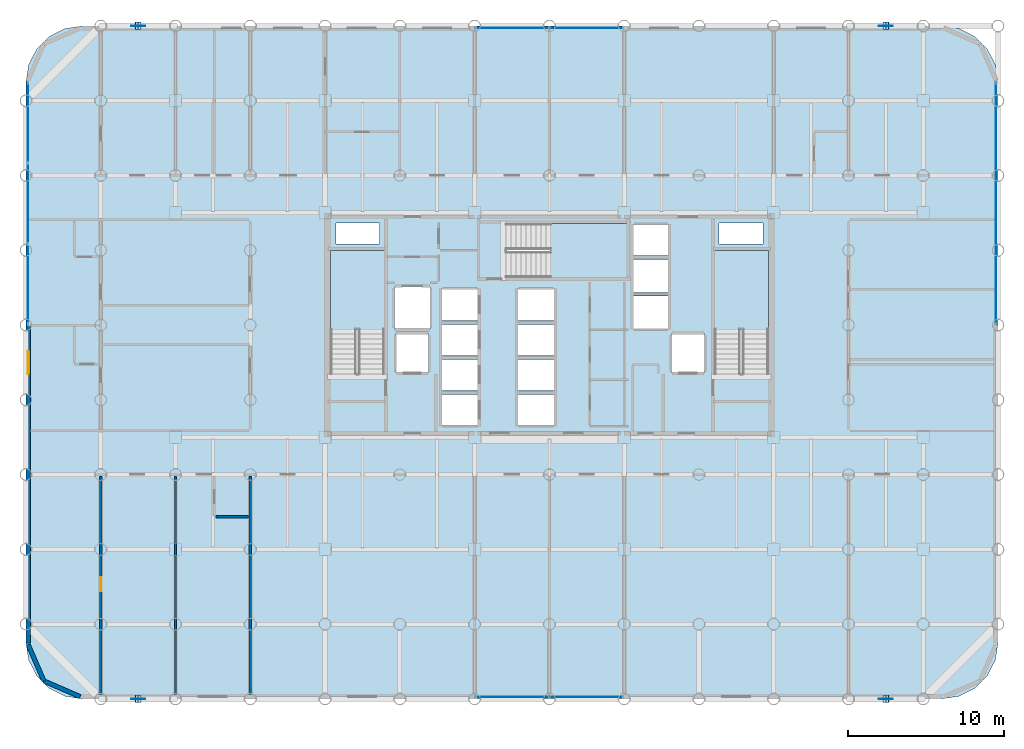
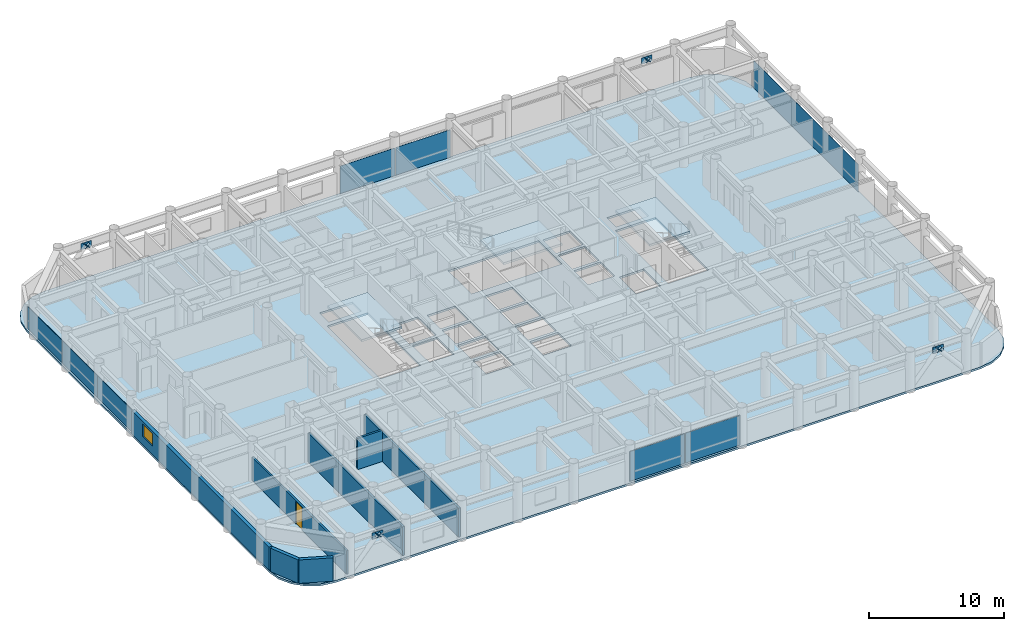
# One storey, part 15 of 21: 20 plates, 7 walls, 4 slabs, 1 door, 1 window, 2 openings, 7 elements without a shape of their own.
"""IFC4 building model written with IfcOpenShell, lengths in metres."""

from ifc_helpers import new_model, si_unit, direction, frame, frame_2d, origin, origin_2d, place, context, subcontext, project, spatial, polyline, rectangle, outline, extrude, material, layer, layer_set, type_object, element, fill, aggregate, save


model = new_model("IFC4")

# Units and contexts
model_context = context("Model", 3, precision=1e-05, world=origin(), true_north=direction((0.0, 1.0)))
body_context = subcontext(model_context, "Body", "Model", "MODEL_VIEW")
ifc_project = project(units=[si_unit("LENGTHUNIT", "METRE"), si_unit("AREAUNIT", "SQUARE_METRE"), si_unit("VOLUMEUNIT", "CUBIC_METRE"), si_unit("PLANEANGLEUNIT", "RADIAN"), si_unit("MASSUNIT", "GRAM", prefix="KILO")], contexts=[model_context])

# Site, building, storey
site_placement = place(None, origin())
site = spatial("IfcSite", under=ifc_project, at=site_placement, CompositionType="ELEMENT")
building_placement = place(site_placement, origin())
building = spatial("IfcBuilding", under=site, at=building_placement, Name="Kallvorn Hotel Tower", CompositionType="ELEMENT")
storey_placement = place(building_placement, frame((0.0, 0.0, 52.199951171875)))
storey = spatial("IfcBuildingStorey", under=building, at=storey_placement, Name="L11", CompositionType="ELEMENT", Elevation=52.199951171875)

# Curtain wall, plates
ifc_material_1 = material(Name="Thermally broken black-anodised aluminium AA 6063-T6", Category="aluminium")
ifc_layer_1 = layer(ifc_material_1, 0.199951171875)
ifc_layer_set_1 = layer_set([ifc_layer_1], Name="CW_SYS_3_HOTEL_LOW")
curtain_wall_type = type_object("IfcCurtainWallType", Name="CW_SYS_3_HOTEL_LOW", PredefinedType="USERDEFINED", material=ifc_layer_set_1)
curtain_wall_1_placement = place(storey_placement, origin())
curtain_wall_1 = element("IfcCurtainWall", 1, at=curtain_wall_1_placement, inside=storey, type_object=curtain_wall_type, Name="L11 Dark-Glass Curtain Wall CW-L11-SC", ObjectType="UNITISED CURTAIN WALL", PredefinedType="USERDEFINED")
ifc_material_2 = material(Name="Double-glazed low-e solar-control dark glass", Category="glass")
ifc_layer_2 = layer(ifc_material_2, 0.035888671875)
ifc_layer_set_2 = layer_set([ifc_layer_2], Name="CW_SYS_3_HOTEL_LOW_PANEL")
plate_type_1 = type_object("IfcPlateType", Name="CW_SYS_3_HOTEL_LOW_PANEL", PredefinedType="CURTAIN_PANEL", material=ifc_layer_set_2)
plate_1_placement = place(storey_placement, frame((-2.375, -23.8798828125, 0.06005859375), z_axis=(0.0, 0.0, 1.0), x_axis=(1.0, 0.0, 0.0)))
plate_1 = element("IfcPlate", 2, at=plate_1_placement, type_object=plate_type_1, Name="CW-L11-SC Vision Glass Panel 00", PredefinedType="CURTAIN_PANEL", context=body_context, shape_type="SweptSolid", body=[
    extrude(rectangle(XDim=4.68994140625, YDim=0.035888671875, at=origin_2d()), origin(), (0.0, 0.0, 1.0), 2.699951171875),
])
plate_2_placement = place(storey_placement, frame((2.375, -23.8798828125, 0.06005859375), z_axis=(0.0, 0.0, 1.0), x_axis=(1.0, 0.0, 0.0)))
plate_2 = element("IfcPlate", 3, at=plate_2_placement, type_object=plate_type_1, Name="CW-L11-SC Vision Glass Panel 01", PredefinedType="CURTAIN_PANEL", context=body_context, shape_type="SweptSolid", body=[
    extrude(rectangle(XDim=4.68994140625, YDim=0.035888671875, at=origin_2d()), origin(), (0.0, 0.0, 1.0), 2.699951171875),
])
aggregate(curtain_wall_1, [plate_1, plate_2])

curtain_wall_2_placement = place(storey_placement, origin())
curtain_wall_2 = element("IfcCurtainWall", 4, at=curtain_wall_2_placement, inside=storey, type_object=curtain_wall_type, Name="L11 Dark-Glass Curtain Wall CW-L11-NC", ObjectType="UNITISED CURTAIN WALL", PredefinedType="USERDEFINED")
plate_3_placement = place(storey_placement, frame((-2.375, 19.080078125, 0.06005859375), z_axis=(0.0, 0.0, 1.0), x_axis=(1.0, 0.0, 0.0)))
plate_3 = element("IfcPlate", 5, at=plate_3_placement, type_object=plate_type_1, Name="CW-L11-NC Vision Glass Panel 00", PredefinedType="CURTAIN_PANEL", context=body_context, shape_type="SweptSolid", body=[
    extrude(rectangle(XDim=4.68994140625, YDim=0.035888671875, at=origin_2d()), origin(), (0.0, 0.0, 1.0), 2.5),
])
plate_4_placement = place(storey_placement, frame((2.375, 19.080078125, 0.06005859375), z_axis=(0.0, 0.0, 1.0), x_axis=(1.0, 0.0, 0.0)))
plate_4 = element("IfcPlate", 6, at=plate_4_placement, type_object=plate_type_1, Name="CW-L11-NC Vision Glass Panel 01", PredefinedType="CURTAIN_PANEL", context=body_context, shape_type="SweptSolid", body=[
    extrude(rectangle(XDim=4.68994140625, YDim=0.035888671875, at=origin_2d()), origin(), (0.0, 0.0, 1.0), 2.5),
])
aggregate(curtain_wall_2, [plate_3, plate_4])

curtain_wall_3_placement = place(storey_placement, origin())
curtain_wall_3 = element("IfcCurtainWall", 7, at=curtain_wall_3_placement, inside=storey, type_object=curtain_wall_type, Name="L11 Dark-Glass Curtain Wall CW-L11-WN", ObjectType="UNITISED CURTAIN WALL", PredefinedType="USERDEFINED")
plate_5_placement = place(storey_placement, frame((-33.47998046875, 2.61669921875, 0.06005859375), z_axis=(0.0, 0.0, 1.0), x_axis=(0.0, 1.0, 0.0)))
plate_5 = element("IfcPlate", 8, at=plate_5_placement, type_object=plate_type_1, Name="CW-L11-WN Vision Glass Panel 00", PredefinedType="CURTAIN_PANEL", context=body_context, shape_type="SweptSolid", body=[
    extrude(rectangle(XDim=5.13330078125, YDim=0.035888671875, at=origin_2d()), origin(), (0.0, 0.0, 1.0), 2.0),
])
plate_6_placement = place(storey_placement, frame((-33.47998046875, 7.81005859375, 0.06005859375), z_axis=(0.0, 0.0, 1.0), x_axis=(0.0, 1.0, 0.0)))
plate_6 = element("IfcPlate", 9, at=plate_6_placement, type_object=plate_type_1, Name="CW-L11-WN Vision Glass Panel 01", PredefinedType="CURTAIN_PANEL", context=body_context, shape_type="SweptSolid", body=[
    extrude(rectangle(XDim=5.13330078125, YDim=0.035888671875, at=origin_2d()), origin(), (0.0, 0.0, 1.0), 2.0),
])
plate_7_placement = place(storey_placement, frame((-33.47998046875, 13.00341796875, 0.06005859375), z_axis=(0.0, 0.0, 1.0), x_axis=(0.0, 1.0, 0.0)))
plate_7 = element("IfcPlate", 10, at=plate_7_placement, type_object=plate_type_1, Name="CW-L11-WN Vision Glass Panel 02", PredefinedType="CURTAIN_PANEL", context=body_context, shape_type="SweptSolid", body=[
    extrude(rectangle(XDim=5.13330078125, YDim=0.035888671875, at=origin_2d()), origin(), (0.0, 0.0, 1.0), 2.0),
])
aggregate(curtain_wall_3, [plate_5, plate_6, plate_7])

# Curtain wall, plate
curtain_wall_4_placement = place(storey_placement, origin())
curtain_wall_4 = element("IfcCurtainWall", 11, at=curtain_wall_4_placement, inside=storey, type_object=curtain_wall_type, Name="L11 Dark-Glass Curtain Wall CW-L11-EN", ObjectType="UNITISED CURTAIN WALL", PredefinedType="USERDEFINED")
plate_8_placement = place(storey_placement, frame((28.679931640625, 7.81005859375, 0.06005859375), z_axis=(0.0, 0.0, 1.0), x_axis=(0.0, 1.0, 0.0)))
plate_8 = element("IfcPlate", 12, at=plate_8_placement, type_object=plate_type_1, Name="CW-L11-EN Vision Glass Panel 00", PredefinedType="CURTAIN_PANEL", context=body_context, shape_type="SweptSolid", body=[
    extrude(rectangle(XDim=15.52001953125, YDim=0.035888671875, at=origin_2d()), origin(), (0.0, 0.0, 1.0), 2.5),
])
aggregate(curtain_wall_4, [plate_8])

# Plates
ifc_material_3 = material(Name="Structural steel S355JR", Category="steel")
ifc_layer_3 = layer(ifc_material_3, 0.030029296875)
ifc_layer_set_3 = layer_set([ifc_layer_3], Name="PLT_CAP_30")
plate_type_2 = type_object("IfcPlateType", Name="PLT_CAP_30", PredefinedType="SHEET", material=ifc_layer_set_3)
for number, where, z_axis, x_axis, name in (
    (13, (-26.20947265625, -24.2431640625, 2.808837890625), (0.653227612507, 0.0, 0.75716159851), (0.0, 1.0, 0.0), "EXO-L11-S1A End Cap Plate B"),
    (14, (-26.590576171875, -23.7568359375, 2.808837890625), (-0.653227612507, 0.0, 0.75716159851), (0.0, -1.0, 0.0), "EXO-L11-S1B End Cap Plate B"),
    (15, (21.79052734375, -24.2431640625, 2.808837890625), (0.653227612507, 0.0, 0.75716159851), (0.0, 1.0, 0.0), "EXO-L11-S2A End Cap Plate B"),
    (16, (21.409423828125, -23.7568359375, 2.808837890625), (-0.653227612507, 0.0, 0.75716159851), (0.0, -1.0, 0.0), "EXO-L11-S2B End Cap Plate B"),
    (17, (-26.20947265625, 18.956787109375, 2.808837890625), (0.653227612507, 0.0, 0.75716159851), (0.0, 1.0, 0.0), "EXO-L11-N1A End Cap Plate B"),
    (18, (-26.590576171875, 19.443115234375, 2.808837890625), (-0.653227612507, 0.0, 0.75716159851), (0.0, -1.0, 0.0), "EXO-L11-N1B End Cap Plate B"),
    (19, (21.79052734375, 18.956787109375, 2.808837890625), (0.653227612507, 0.0, 0.75716159851), (0.0, 1.0, 0.0), "EXO-L11-N2A End Cap Plate B"),
    (20, (21.409423828125, 19.443115234375, 2.808837890625), (-0.653227612507, 0.0, 0.75716159851), (0.0, -1.0, 0.0), "EXO-L11-N2B End Cap Plate B"),
):
    element("IfcPlate", number, at=place(storey_placement, frame(where, z_axis=z_axis, x_axis=x_axis)), inside=storey, type_object=plate_type_2, Name=name, PredefinedType="SHEET", context=body_context, shape_type="SweptSolid", body=[
        extrude(outline(polyline([(0.0, 0.0), (0.486328125, 0.0), (0.486328125, 0.4862423863341974), (0.0, 0.4862423863341974), (0.0, 0.0)])), origin(), (0.0, 0.0, -1.0), 0.030029296875),
    ])
ifc_material_4 = material(Name="Structural steel S355JR", Category="steel")
ifc_layer_4 = layer(ifc_material_4, 0.044921875)
ifc_layer_set_4 = layer_set([ifc_layer_4], Name="PLT_GUSSET_45")
plate_type_3 = type_object("IfcPlateType", Name="PLT_GUSSET_45", PredefinedType="USERDEFINED", material=ifc_layer_set_4)
for number, where, z_axis, x_axis, name in (
    (21, (-26.39990234375, -24.0, 2.64013671875), (0.0, 0.0, 1.0), (1.0, 0.0, 0.0), "L11 Exoskeleton Node Gusset S1"),
    (22, (21.60009765625, -24.0, 2.64013671875), (0.0, 0.0, 1.0), (1.0, 0.0, 0.0), "L11 Exoskeleton Node Gusset S2"),
    (23, (-26.39990234375, 19.199951171875, 2.64013671875), (0.0, 0.0, 1.0), (1.0, 0.0, 0.0), "L11 Exoskeleton Node Gusset N1"),
    (24, (21.60009765625, 19.199951171875, 2.64013671875), (0.0, 0.0, 1.0), (1.0, 0.0, 0.0), "L11 Exoskeleton Node Gusset N2"),
):
    element("IfcPlate", number, at=place(storey_placement, frame(where, z_axis=z_axis, x_axis=x_axis)), inside=storey, type_object=plate_type_3, Name=name, ObjectType="GUSSET PLATE", PredefinedType="USERDEFINED", context=body_context, shape_type="SweptSolid", body=[
        extrude(rectangle(XDim=0.89990234375, YDim=0.044921875, at=origin_2d()), origin(), (0.0, 0.0, 1.0), 0.56005859375),
    ])

# Stair, slab
ifc_material_5 = material(Name="Precast concrete C40/50", Category="concrete")
stair_type = type_object("IfcStairType", Name="STR_CORE_DOGLEG", PredefinedType="HALF_TURN_STAIR", material=ifc_material_5)
stair_1_placement = place(storey_placement, origin())
stair_1 = element("IfcStair", 25, at=stair_1_placement, inside=storey, type_object=stair_type, Name="L11 Exit stair ST1", PredefinedType="HALF_TURN_STAIR")
ifc_material_6 = material(Name="Precast concrete C40/50", Category="concrete")
ifc_layer_5 = layer(ifc_material_6, 0.179931640625)
ifc_layer_set_5 = layer_set([ifc_layer_5], Name="SLB_LANDING_180")
slab_type_1 = type_object("IfcSlabType", Name="SLB_LANDING_180", PredefinedType="LANDING", material=ifc_layer_set_5)
slab_1_placement = place(storey_placement, frame((0.0, 0.0, 1.650146484375)))
slab_1 = element("IfcSlab", 26, at=slab_1_placement, type_object=slab_type_1, Name="ST1 landing 1", PredefinedType="LANDING", context=body_context, shape_type="SweptSolid", body=[
    extrude(outline(polyline([(-10.60009765625, -0.31005859375), (-10.60009765625, 4.800048828125), (-14.06005859375, 4.800048828125), (-14.06005859375, -0.31005859375), (-10.60009765625, -0.31005859375)])), origin(), (0.0, 0.0, 1.0), 0.199951171875),
])
aggregate(stair_1, [slab_1])

stair_2_placement = place(storey_placement, origin())
stair_2 = element("IfcStair", 27, at=stair_2_placement, inside=storey, type_object=stair_type, Name="L11 Exit stair ST2", PredefinedType="HALF_TURN_STAIR")
slab_2_placement = place(storey_placement, frame((0.0, 0.0, 1.650146484375)))
slab_2 = element("IfcSlab", 28, at=slab_2_placement, type_object=slab_type_1, Name="ST2 landing 1", PredefinedType="LANDING", context=body_context, shape_type="SweptSolid", body=[
    extrude(outline(polyline([(14.06005859375, -0.31005859375), (14.06005859375, 4.800048828125), (10.60009765625, 4.800048828125), (10.60009765625, -0.31005859375), (14.06005859375, -0.31005859375)])), origin(), (0.0, 0.0, 1.0), 0.199951171875),
])
aggregate(stair_2, [slab_2])

stair_3_placement = place(storey_placement, origin())
stair_3 = element("IfcStair", 29, at=stair_3_placement, inside=storey, type_object=stair_type, Name="L11 Exit stair ST3", PredefinedType="HALF_TURN_STAIR")
slab_3_placement = place(storey_placement, frame((0.0, 0.0, 1.650146484375)))
slab_3 = element("IfcSlab", 30, at=slab_3_placement, type_object=slab_type_1, Name="ST3 landing 1", PredefinedType="LANDING", context=body_context, shape_type="SweptSolid", body=[
    extrude(outline(polyline([(0.0400390625, 3.050048828125), (5.050048828125, 3.050048828125), (5.050048828125, 6.510009765625), (0.0400390625, 6.510009765625), (0.0400390625, 3.050048828125)])), origin(), (0.0, 0.0, 1.0), 0.199951171875),
])
aggregate(stair_3, [slab_3])

# Slab
ifc_material_7 = material(Name="Concrete C40/50", Category="concrete")
ifc_layer_6 = layer(ifc_material_7, 0.179931640625)
ifc_layer_set_6 = layer_set([ifc_layer_6], Name="SLB_TOWER_180")
slab_type_2 = type_object("IfcSlabType", Name="SLB_TOWER_180", PredefinedType="FLOOR", material=ifc_layer_set_6)
slab_4_placement = place(storey_placement, frame((0.0, 0.0, -0.179931640625)))
element("IfcSlab", 31, at=slab_4_placement, inside=storey, type_object=slab_type_2, Name="L11 Structural Floor Slab", PredefinedType="FLOOR", context=body_context, shape_type="SweptSolid", body=[
    extrude(outline(polyline([(25.199951171875, -24.0), (26.3125, -23.82373046875), (27.31591796875, -23.3125), (28.112548828125, -22.51611328125), (28.623779296875, -21.512451171875), (28.800048828125, -20.39990234375), (28.800048828125, 15.60009765625), (28.623779296875, 16.71240234375), (28.112548828125, 17.716064453125), (27.31591796875, 18.512451171875), (26.3125, 19.023681640625), (25.199951171875, 19.199951171875), (-30.0, 19.199951171875), (-31.112548828125, 19.023681640625), (-32.115966796875, 18.512451171875), (-32.91259765625, 17.716064453125), (-33.423828125, 16.71240234375), (-33.60009765625, 15.60009765625), (-33.60009765625, -20.39990234375), (-33.423828125, -21.512451171875), (-32.91259765625, -22.51611328125), (-32.115966796875, -23.3125), (-31.112548828125, -23.82373046875), (-30.0, -24.0), (25.199951171875, -24.0)]), holes=[polyline([(-10.60009765625, -3.070068359375), (-10.60009765625, 4.800048828125), (-14.06005859375, 4.800048828125), (-14.06005859375, -3.070068359375), (-10.60009765625, -3.070068359375)]), polyline([(14.06005859375, -3.070068359375), (14.06005859375, 4.800048828125), (10.60009765625, 4.800048828125), (10.60009765625, -3.070068359375), (14.06005859375, -3.070068359375)]), polyline([(-2.719970703125, 3.050048828125), (5.050048828125, 3.050048828125), (5.050048828125, 6.510009765625), (-2.719970703125, 6.510009765625), (-2.719970703125, 3.050048828125)]), polyline([(-6.949951171875, -6.449951171875), (-4.550048828125, -6.449951171875), (-4.550048828125, -4.449951171875), (-6.949951171875, -4.449951171875), (-6.949951171875, -6.449951171875)]), polyline([(-6.949951171875, -4.199951171875), (-4.550048828125, -4.199951171875), (-4.550048828125, -2.199951171875), (-6.949951171875, -2.199951171875), (-6.949951171875, -4.199951171875)]), polyline([(-6.949951171875, -1.949951171875), (-4.550048828125, -1.949951171875), (-4.550048828125, 0.050048828125), (-6.949951171875, 0.050048828125), (-6.949951171875, -1.949951171875)]), polyline([(-6.949951171875, 0.300048828125), (-4.550048828125, 0.300048828125), (-4.550048828125, 2.300048828125), (-6.949951171875, 2.300048828125), (-6.949951171875, 0.300048828125)]), polyline([(-2.050048828125, -6.449951171875), (0.35009765625, -6.449951171875), (0.35009765625, -4.449951171875), (-2.050048828125, -4.449951171875), (-2.050048828125, -6.449951171875)]), polyline([(-2.050048828125, -4.199951171875), (0.35009765625, -4.199951171875), (0.35009765625, -2.199951171875), (-2.050048828125, -2.199951171875), (-2.050048828125, -4.199951171875)]), polyline([(-2.050048828125, -1.949951171875), (0.35009765625, -1.949951171875), (0.35009765625, 0.050048828125), (-2.050048828125, 0.050048828125), (-2.050048828125, -1.949951171875)]), polyline([(-2.050048828125, 0.300048828125), (0.35009765625, 0.300048828125), (0.35009765625, 2.300048828125), (-2.050048828125, 2.300048828125), (-2.050048828125, 0.300048828125)]), polyline([(5.35009765625, -0.25), (7.64990234375, -0.25), (7.64990234375, 1.85009765625), (5.35009765625, 1.85009765625), (5.35009765625, -0.25)]), polyline([(5.35009765625, 2.10009765625), (7.64990234375, 2.10009765625), (7.64990234375, 4.199951171875), (5.35009765625, 4.199951171875), (5.35009765625, 2.10009765625)]), polyline([(5.35009765625, 4.449951171875), (7.64990234375, 4.449951171875), (7.64990234375, 6.449951171875), (5.35009765625, 6.449951171875), (5.35009765625, 4.449951171875)]), polyline([(-9.85009765625, -3.050048828125), (-7.75, -3.050048828125), (-7.75, -0.550048828125), (-9.85009765625, -0.550048828125), (-9.85009765625, -3.050048828125)]), polyline([(7.85009765625, -3.050048828125), (9.949951171875, -3.050048828125), (9.949951171875, -0.550048828125), (7.85009765625, -0.550048828125), (7.85009765625, -3.050048828125)]), polyline([(-9.949951171875, -0.25), (-7.64990234375, -0.25), (-7.64990234375, 2.449951171875), (-9.949951171875, 2.449951171875), (-9.949951171875, -0.25)]), polyline([(-13.699951171875, 5.199951171875), (-10.89990234375, 5.199951171875), (-10.89990234375, 6.550048828125), (-13.699951171875, 6.550048828125), (-13.699951171875, 5.199951171875)]), polyline([(10.89990234375, 5.199951171875), (13.699951171875, 5.199951171875), (13.699951171875, 6.550048828125), (10.89990234375, 6.550048828125), (10.89990234375, 5.199951171875)])]), origin(), (0.0, 0.0, 1.0), 0.179931640625),
])

# Walls
ifc_material_8 = material(Name="Fire-rated double-layer acoustic gypsum drywall EI 60")
ifc_layer_7 = layer(ifc_material_8, 0.159912109375)
ifc_layer_set_7 = layer_set([ifc_layer_7], Name="WL_DEMISE_160")
wall_type_1 = type_object("IfcWallType", Name="WL_DEMISE_160", PredefinedType="PARTITIONING", material=ifc_layer_set_7)
wall_1_placement = place(storey_placement, frame((-21.409912109375, -12.320068359375, 0.0), z_axis=(0.0, 0.0, 1.0), x_axis=(1.0, 0.0, 0.0)))
element("IfcWall", 32, at=wall_1_placement, inside=storey, type_object=wall_type_1, Name="L11 Suite 1103 Superior Twin Room Partition", PredefinedType="PARTITIONING", context=body_context, shape_type="SweptSolid", body=[
    extrude(rectangle(XDim=2.1298828125, YDim=0.159912109375, at=frame_2d((1.06494140625, 0.0))), origin(), (0.0, 0.0, 1.0), 2.820068359375),
])
for number, where, z_axis, x_axis, name in (
    (33, (-24.0, -23.7099609375, 0.0), (0.0, 0.0, 1.0), (0.0, 1.0, 0.0), "L11 Suite 1103 Superior Twin Room Partition"),
    (34, (-19.199951171875, -23.7099609375, 0.0), (0.0, 0.0, 1.0), (0.0, 1.0, 0.0), "L11 Suite 1103 Superior Twin Room Partition"),
):
    element("IfcWall", number, at=place(storey_placement, frame(where, z_axis=z_axis, x_axis=x_axis)), inside=storey, type_object=wall_type_1, Name=name, PredefinedType="PARTITIONING", context=body_context, shape_type="SweptSolid", body=[
        extrude(rectangle(XDim=13.989990234375, YDim=0.159912109375, at=frame_2d((6.9951171875, 0.0))), origin(), (0.0, 0.0, 1.0), 2.6201171875),
    ])
ifc_material_9 = material(Name="Precast basalt-clad insulated concrete wall C40/50", Category="masonry")
ifc_layer_8 = layer(ifc_material_9, 0.280029296875)
ifc_layer_set_8 = layer_set([ifc_layer_8], Name="WL_EXT_LOGGIA_280")
wall_type_2 = type_object("IfcWallType", Name="WL_EXT_LOGGIA_280", PredefinedType="SOLIDWALL", material=ifc_layer_set_8)
wall_2_placement = place(storey_placement, frame((-33.4580078125, -20.520751953125, 0.0), z_axis=(0.0, 0.0, 1.0), x_axis=(0.398792985289, -0.917040977756, 0.0)))
element("IfcWall", 35, at=wall_2_placement, inside=storey, type_object=wall_type_2, Name="L11 Rounded Corner Exterior Wall SW1", PredefinedType="SOLIDWALL", context=body_context, shape_type="SweptSolid", body=[
    extrude(rectangle(XDim=2.536376953125, YDim=0.280029296875, at=frame_2d((1.26806640625, 0.0))), origin(), (0.0, 0.0, 1.0), 2.1201171875),
])
wall_3_placement = place(storey_placement, frame((-32.446533203125, -22.8466796875, 0.0), z_axis=(0.0, 0.0, 1.0), x_axis=(0.917060872934, -0.398747232384, 0.0)))
element("IfcWall", 36, at=wall_3_placement, inside=storey, type_object=wall_type_2, Name="L11 Rounded Corner Exterior Wall SW2", PredefinedType="SOLIDWALL", context=body_context, shape_type="SweptSolid", body=[
    extrude(rectangle(XDim=2.5361328125, YDim=0.280029296875, at=frame_2d((1.26806640625, 0.0))), origin(), (0.0, 0.0, 1.0), 2.1201171875),
])

# Wall, opening, window
wall_4_placement = place(storey_placement, frame((-33.4599609375, -20.39990234375, 0.0), z_axis=(0.0, 0.0, 1.0), x_axis=(0.0, 1.0, 0.0)))
wall_4 = element("IfcWall", 37, at=wall_4_placement, inside=storey, type_object=wall_type_2, Name="L11 Exterior Envelope Wall EW-L11-WS", PredefinedType="SOLIDWALL", context=body_context, shape_type="SweptSolid", body=[
    extrude(rectangle(XDim=20.3798828125, YDim=0.280029296875, at=frame_2d((10.18994140625, 0.0))), origin(), (0.0, 0.0, 1.0), 2.1201171875),
])
opening_1_placement = place(wall_4_placement, frame((17.25, 0.0, 0.75)))
opening_1 = element("IfcOpeningElement", 38, at=opening_1_placement, cuts=wall_4, Name="Opening W05A", PredefinedType="OPENING", context=body_context, shape_type="SweptSolid", body=[
    extrude(rectangle(XDim=1.5, YDim=1.14990234375, at=frame_2d((0.75, 0.574951171875))), frame((0.0, 0.155029296875, 0.0), z_axis=(0.0, -1.0, 0.0), x_axis=(1.0, 0.0, 0.0)), (0.0, 0.0, 1.0), 0.31005859375),
])
ifc_material_10 = material(Name="Double-glazed low-e solar-control dark glass", Category="glass")
window_type = type_object("IfcWindowType", Name="WN_HTL_1500x1150", PartitioningType="SINGLE_PANEL", PredefinedType="WINDOW", material=ifc_material_10)
window_placement = place(opening_1_placement, origin())
window = element("IfcWindow", 39, at=window_placement, inside=storey, type_object=window_type, Name="L11 Flank Wing Window 01", OverallHeight=1.14990234375, OverallWidth=1.5, PartitioningType="SINGLE_PANEL", PredefinedType="WINDOW", context=body_context, shape_type="SweptSolid", body=[
    extrude(rectangle(XDim=1.5, YDim=1.14990234375, at=frame_2d((0.75, 0.574951171875))), frame((0.0, 0.030029296875, 0.0), z_axis=(0.0, -1.0, 0.0), x_axis=(1.0, 0.0, 0.0)), (0.0, 0.0, 1.0), 0.06005859375),
])
fill(opening_1, window)

# Wall, opening, door
ifc_material_11 = material(Name="Fire-rated double-layer acoustic gypsum drywall EI 60")
ifc_layer_9 = layer(ifc_material_11, 0.14990234375)
ifc_layer_set_9 = layer_set([ifc_layer_9], Name="WL_PART_150")
wall_type_3 = type_object("IfcWallType", Name="WL_PART_150", PredefinedType="PARTITIONING", material=ifc_layer_set_9)
wall_5_placement = place(storey_placement, frame((-28.800048828125, -23.7099609375, 0.0), z_axis=(0.0, 0.0, 1.0), x_axis=(0.0, 1.0, 0.0)))
wall_5 = element("IfcWall", 40, at=wall_5_placement, inside=storey, type_object=wall_type_3, Name="L11 L11 South-West Botanical Bar A Partition", PredefinedType="PARTITIONING", context=body_context, shape_type="SweptSolid", body=[
    extrude(rectangle(XDim=13.989990234375, YDim=0.14990234375, at=frame_2d((6.9951171875, 0.0))), origin(), (0.0, 0.0, 1.0), 2.1201171875),
])
opening_2_placement = place(wall_5_placement, frame((6.625, 0.0, 0.0)))
opening_2 = element("IfcOpeningElement", 41, at=opening_2_placement, cuts=wall_5, Name="Opening SVD1A", PredefinedType="OPENING", context=body_context, shape_type="SweptSolid", body=[
    extrude(rectangle(XDim=0.89990234375, YDim=2.02001953125, at=frame_2d((0.449951171875, 1.010009765625))), frame((0.0, 0.08984375, 0.0), z_axis=(0.0, -1.0, 0.0), x_axis=(1.0, 0.0, 0.0)), (0.0, 0.0, 1.0), 0.179931640625),
])
ifc_material_12 = material(Name="Galvanised painted steel fire-rated door assembly", Category="steel")
door_type = type_object("IfcDoorType", Name="DR_SERV_900x2020", OperationType="NOTDEFINED", PredefinedType="DOOR", material=ifc_material_12)
door_placement = place(opening_2_placement, origin())
door = element("IfcDoor", 42, at=door_placement, inside=storey, type_object=door_type, Name="L11 L11 South-West Botanical Bar A Door", OperationType="SINGLE_SWING_LEFT", OverallHeight=2.02001953125, OverallWidth=0.89990234375, PredefinedType="DOOR", context=body_context, shape_type="SweptSolid", body=[
    extrude(rectangle(XDim=0.89990234375, YDim=2.02001953125, at=frame_2d((0.449951171875, 1.010009765625))), frame((0.0, 0.02490234375, 0.0), z_axis=(0.0, -1.0, 0.0), x_axis=(1.0, 0.0, 0.0)), (0.0, 0.0, 1.0), 0.050048828125),
])
fill(opening_2, door)

save(model, "model.ifc")
